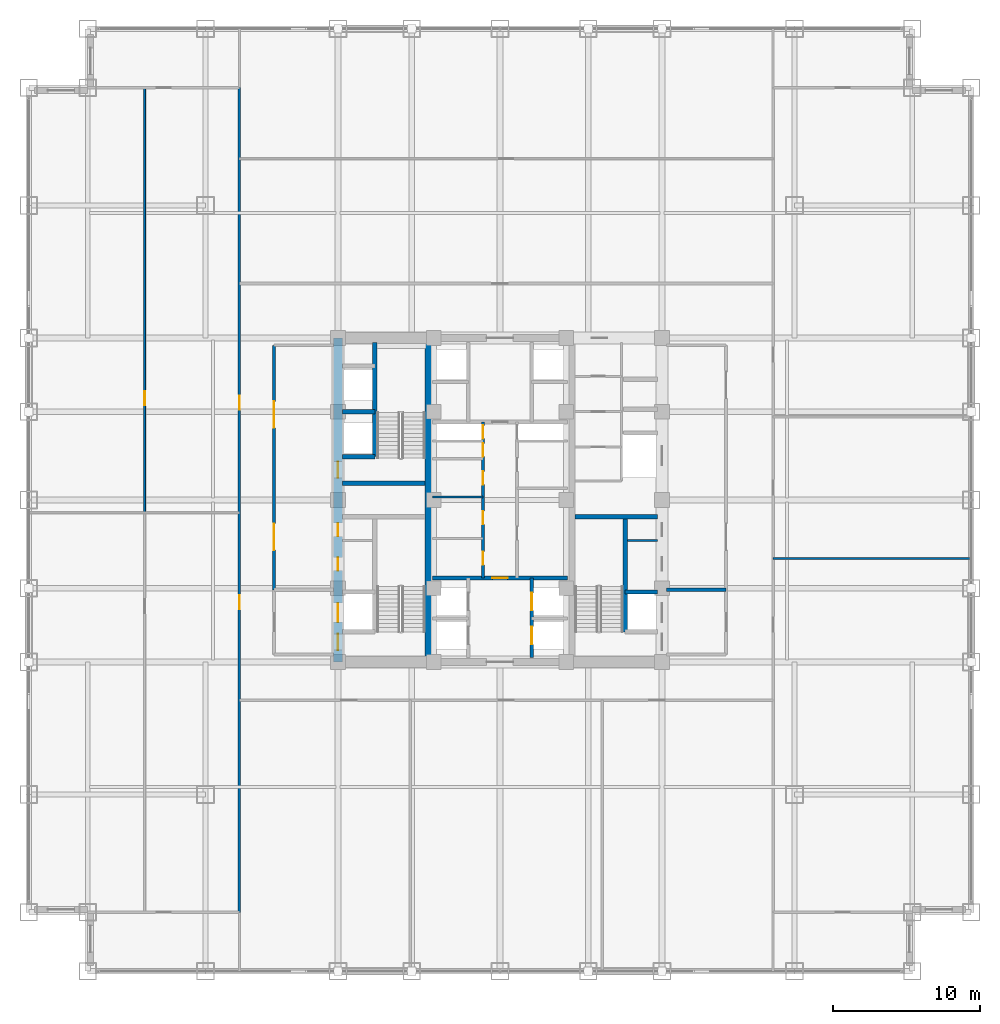
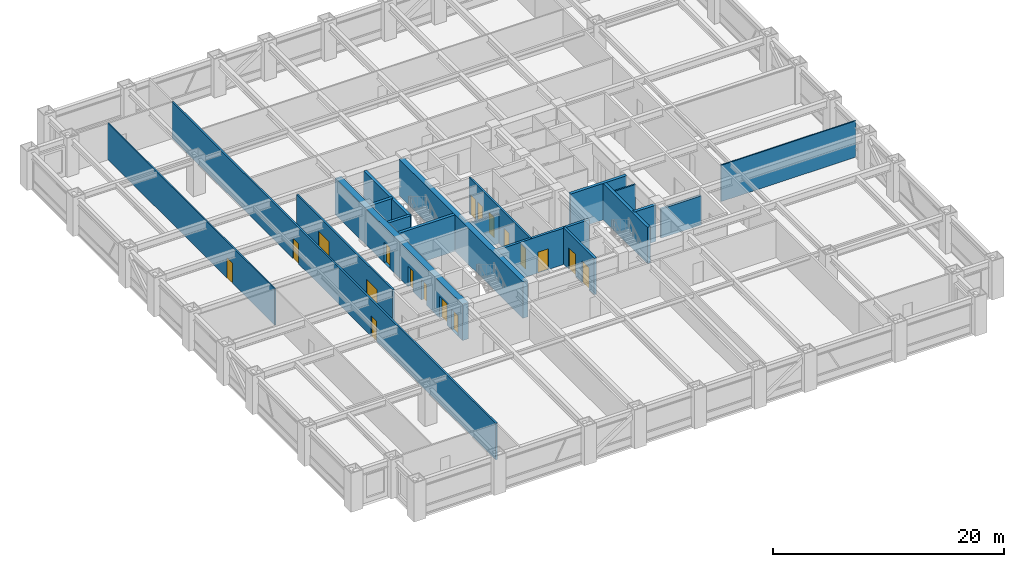
# One storey, part 24 of 27: 19 walls, 18 doors, 18 openings.
"""IFC4 building model written with IfcOpenShell, lengths in metres."""

from ifc_helpers import new_model, si_unit, direction, frame, frame_2d, origin, place, context, subcontext, project, spatial, rectangle, extrude, source, transform, mapped, material, layer, layer_set, type_object, element, fill, save


model = new_model("IFC4")

# Units and contexts
model_context = context("Model", 3, precision=1e-05, world=origin(), true_north=direction((0.0, 1.0)))
body_context = subcontext(model_context, "Body", "Model", "MODEL_VIEW")
ifc_project = project(units=[si_unit("LENGTHUNIT", "METRE"), si_unit("AREAUNIT", "SQUARE_METRE"), si_unit("VOLUMEUNIT", "CUBIC_METRE"), si_unit("PLANEANGLEUNIT", "RADIAN"), si_unit("MASSUNIT", "GRAM", prefix="KILO")], contexts=[model_context])

# Site, building, storey
site_placement = place(None, origin())
site = spatial("IfcSite", under=ifc_project, at=site_placement, CompositionType="ELEMENT")
building_placement = place(site_placement, origin())
building = spatial("IfcBuilding", under=site, at=building_placement, Name="Khorayat Bourse Tower", CompositionType="ELEMENT")
storey_placement = place(building_placement, frame((0.0, 0.0, 111.89990234375)))
storey = spatial("IfcBuildingStorey", under=building, at=storey_placement, Name="L25", CompositionType="ELEMENT", Elevation=111.89990234375)

# Wall, openings, doors
ifc_material_1 = material(Name="Concrete C60/75", Category="concrete")
ifc_layer_1 = layer(ifc_material_1, 0.60009765625)
ifc_layer_set_1 = layer_set([ifc_layer_1], Name="Concrete C60/75")
wall_type_1 = type_object("IfcWallType", Name="WAL-CORE-600", PredefinedType="SHEAR", material=ifc_layer_set_1)
shared_shape_1 = source(origin(), body_context, "Body", "SweptSolid", [
    extrude(rectangle(XDim=22.0, YDim=0.60009765625, at=frame_2d((11.0, 0.0))), origin(), (0.0, 0.0, 1.0), 3.840087890625),
])
wall_1_placement = place(storey_placement, frame((-11.0, -11.0, 0.0), z_axis=(0.0, 0.0, 1.0), x_axis=(0.0, 1.0, 0.0)))
wall_1 = element("IfcWall", 1, at=wall_1_placement, inside=storey, type_object=wall_type_1, Name="L25 Core Shear Wall CORE-W", PredefinedType="SHEAR", context=body_context, shape_type="MappedRepresentation", body=[
    mapped(shared_shape_1, transform((0.0, 0.0, 0.0), scale=1.0)),
])
shared_shape_2 = source(origin(), body_context, "Body", "SweptSolid", [
    extrude(rectangle(XDim=1.10009765625, YDim=2.199951171875, at=frame_2d((0.550048828125, 1.10009765625))), frame((0.0, 0.31005859375, 0.0), z_axis=(0.0, -1.0, 0.0), x_axis=(1.0, 0.0, 0.0)), (0.0, 0.0, 1.0), 0.6201171875),
])
opening_1_placement = place(wall_1_placement, frame((0.800048828125, 0.0, 0.0)))
opening_1 = element("IfcOpeningElement", 2, at=opening_1_placement, cuts=wall_1, Name="Opening DI-01", PredefinedType="OPENING", context=body_context, shape_type="MappedRepresentation", body=[
    mapped(shared_shape_2, transform((0.0, 0.0, 0.0), scale=1.0)),
])
opening_2_placement = place(wall_1_placement, frame((12.5, 0.0, 0.0)))
opening_2 = element("IfcOpeningElement", 3, at=opening_2_placement, cuts=wall_1, Name="Opening DI-01", PredefinedType="OPENING", context=body_context, shape_type="MappedRepresentation", body=[
    mapped(shared_shape_2, transform((0.0, 0.0, 0.0), scale=1.0)),
])
shared_shape_3 = source(origin(), body_context, "Body", "SweptSolid", [
    extrude(rectangle(XDim=0.89990234375, YDim=2.14990234375, at=frame_2d((0.449951171875, 1.074951171875))), frame((0.0, 0.31005859375, 0.0), z_axis=(0.0, -1.0, 0.0), x_axis=(1.0, 0.0, 0.0)), (0.0, 0.0, 1.0), 0.6201171875),
])
opening_3_placement = place(wall_1_placement, frame((6.199951171875, 0.0, 0.0)))
opening_3 = element("IfcOpeningElement", 4, at=opening_3_placement, cuts=wall_1, Name="Opening DI-06", PredefinedType="OPENING", context=body_context, shape_type="MappedRepresentation", body=[
    mapped(shared_shape_3, transform((0.0, 0.0, 0.0), scale=1.0)),
])
opening_4_placement = place(wall_1_placement, frame((8.52490234375, 0.0, 0.0)))
opening_4 = element("IfcOpeningElement", 5, at=opening_4_placement, cuts=wall_1, Name="Opening DI-06", PredefinedType="OPENING", context=body_context, shape_type="MappedRepresentation", body=[
    mapped(shared_shape_3, transform((0.0, 0.0, 0.0), scale=1.0)),
])
shared_shape_4 = source(origin(), body_context, "Body", "SweptSolid", [
    extrude(rectangle(XDim=1.300048828125, YDim=2.300048828125, at=frame_2d((0.64990234375, 1.14990234375))), frame((0.0, 0.31005859375, 0.0), z_axis=(0.0, -1.0, 0.0), x_axis=(1.0, 0.0, 0.0)), (0.0, 0.0, 1.0), 0.6201171875),
])
opening_5_placement = place(wall_1_placement, frame((2.699951171875, 0.0, 0.0)))
opening_5 = element("IfcOpeningElement", 6, at=opening_5_placement, cuts=wall_1, Name="Opening LD-02", PredefinedType="OPENING", context=body_context, shape_type="MappedRepresentation", body=[
    mapped(shared_shape_4, transform((0.0, 0.0, 0.0), scale=1.0)),
])
ifc_material_2 = material(Name="Fire-rated steel acoustic leaf", Category="steel")
door_type_1 = type_object("IfcDoorType", Name="DR-INT-STAIR-1100", OperationType="NOTDEFINED", PredefinedType="DOOR", material=ifc_material_2)
shared_shape_5 = source(origin(), body_context, "Body", "SweptSolid", [
    extrude(rectangle(XDim=1.10009765625, YDim=2.199951171875, at=frame_2d((0.550048828125, 1.10009765625))), frame((0.0, 0.02490234375, 0.0), z_axis=(0.0, -1.0, 0.0), x_axis=(1.0, 0.0, 0.0)), (0.0, 0.0, 1.0), 0.050048828125),
])
door_1_placement = place(opening_1_placement, origin())
door_1 = element("IfcDoor", 7, at=door_1_placement, inside=storey, type_object=door_type_1, Name="L25 Exit Stair 1 Door", OperationType="SINGLE_SWING_RIGHT", OverallHeight=2.199951171875, OverallWidth=1.10009765625, PredefinedType="DOOR", context=body_context, shape_type="MappedRepresentation", body=[
    mapped(shared_shape_5, transform((0.0, 0.0, 0.0), scale=1.0)),
])
fill(opening_1, door_1)
door_2_placement = place(opening_2_placement, origin())
door_2 = element("IfcDoor", 8, at=door_2_placement, inside=storey, type_object=door_type_1, Name="L25 Exit Stair 2 Door", OperationType="SINGLE_SWING_RIGHT", OverallHeight=2.199951171875, OverallWidth=1.10009765625, PredefinedType="DOOR", context=body_context, shape_type="MappedRepresentation", body=[
    mapped(shared_shape_5, transform((0.0, 0.0, 0.0), scale=1.0)),
])
fill(opening_2, door_2)
ifc_material_3 = material(Name="Moisture-resistant laminate washroom door")
door_type_2 = type_object("IfcDoorType", Name="DR-INT-WC-900", OperationType="NOTDEFINED", PredefinedType="DOOR", material=ifc_material_3)
shared_shape_6 = source(origin(), body_context, "Body", "SweptSolid", [
    extrude(rectangle(XDim=0.89990234375, YDim=2.14990234375, at=frame_2d((0.449951171875, 1.074951171875))), frame((0.0, 0.02490234375, 0.0), z_axis=(0.0, -1.0, 0.0), x_axis=(1.0, 0.0, 0.0)), (0.0, 0.0, 1.0), 0.050048828125),
])
door_3_placement = place(opening_3_placement, origin())
door_3 = element("IfcDoor", 9, at=door_3_placement, inside=storey, type_object=door_type_2, Name="L25 Switch Closet Door", OperationType="SINGLE_SWING_RIGHT", OverallHeight=2.14990234375, OverallWidth=0.89990234375, PredefinedType="DOOR", context=body_context, shape_type="MappedRepresentation", body=[
    mapped(shared_shape_6, transform((0.0, 0.0, 0.0), scale=1.0)),
])
fill(opening_3, door_3)
door_4_placement = place(opening_4_placement, origin())
door_4 = element("IfcDoor", 10, at=door_4_placement, inside=storey, type_object=door_type_2, Name="L25 Janitor Store Door", OperationType="SINGLE_SWING_LEFT", OverallHeight=2.14990234375, OverallWidth=0.89990234375, PredefinedType="DOOR", context=body_context, shape_type="MappedRepresentation", body=[
    mapped(shared_shape_6, transform((0.0, 0.0, 0.0), scale=1.0)),
])
fill(opening_4, door_4)
ifc_material_4 = material(Name="Fire-rated stainless-steel sliding landing door", Category="steel")
door_type_3 = type_object("IfcDoorType", Name="DR-LIFT-FF-1300", OperationType="NOTDEFINED", PredefinedType="DOOR", material=ifc_material_4)
shared_shape_7 = source(origin(), body_context, "Body", "SweptSolid", [
    extrude(rectangle(XDim=1.300048828125, YDim=2.300048828125, at=frame_2d((0.64990234375, 1.14990234375))), frame((0.0, 0.02490234375, 0.0), z_axis=(0.0, -1.0, 0.0), x_axis=(1.0, 0.0, 0.0)), (0.0, 0.0, 1.0), 0.050048828125),
])
door_5_placement = place(opening_5_placement, origin())
door_5 = element("IfcDoor", 11, at=door_5_placement, inside=storey, type_object=door_type_3, Name="L25 Lift FFL-01 Sliding Landing Door", OperationType="SLIDING_TO_LEFT", OverallHeight=2.300048828125, OverallWidth=1.300048828125, PredefinedType="DOOR", context=body_context, shape_type="MappedRepresentation", body=[
    mapped(shared_shape_7, transform((0.0, 0.0, 0.0), scale=1.0)),
])
fill(opening_5, door_5)

# Walls
ifc_material_5 = material(Name="Concrete C52/65", Category="concrete")
ifc_layer_2 = layer(ifc_material_5, 0.5)
ifc_layer_set_2 = layer_set([ifc_layer_2], Name="Concrete C52/65")
wall_type_2 = type_object("IfcWallType", Name="WAL-CORE-500", PredefinedType="SHEAR", material=ifc_layer_set_2)
shared_shape_8 = source(origin(), body_context, "Body", "SweptSolid", [
    extrude(rectangle(XDim=21.39990234375, YDim=0.5, at=frame_2d((10.699951171875, 0.0))), origin(), (0.0, 0.0, 1.0), 3.840087890625),
])
wall_2_placement = place(storey_placement, frame((-4.85009765625, -10.699951171875, 0.0), z_axis=(0.0, 0.0, 1.0), x_axis=(0.0, 1.0, 0.0)))
element("IfcWall", 12, at=wall_2_placement, inside=storey, type_object=wall_type_2, Name="L25 Core Shear Wall PIER-W", PredefinedType="SHEAR", context=body_context, shape_type="MappedRepresentation", body=[
    mapped(shared_shape_8, transform((0.0, 0.0, 0.0), scale=1.0)),
])
ifc_material_6 = material(Name="Concrete C50/60", Category="concrete")
ifc_layer_3 = layer(ifc_material_6, 0.300048828125)
ifc_layer_set_3 = layer_set([ifc_layer_3], Name="Concrete C50/60")
wall_type_3 = type_object("IfcWallType", Name="WAL-SHAFT-300", PredefinedType="SHEAR", material=ifc_layer_set_3)
shared_shape_9 = source(origin(), body_context, "Body", "SweptSolid", [
    extrude(rectangle(XDim=5.599853515625, YDim=0.300048828125, at=frame_2d((2.7998046875, 0.0))), origin(), (0.0, 0.0, 1.0), 3.840087890625),
])
for number, where, z_axis, x_axis, name in (
    (13, (-10.699951171875, 1.14990234375, 0.0), (0.0, 0.0, 1.0), (1.0, 0.0, 0.0), "L25 Core Shear Wall ST2-DIV"),
    (14, (5.10009765625, -1.14990234375, 0.0), (0.0, 0.0, 1.0), (1.0, 0.0, 0.0), "L25 Core Shear Wall ST3-DIV"),
):
    element("IfcWall", number, at=place(storey_placement, frame(where, z_axis=z_axis, x_axis=x_axis)), inside=storey, type_object=wall_type_3, Name=name, PredefinedType="SHEAR", context=body_context, shape_type="MappedRepresentation", body=[
        mapped(shared_shape_9, transform((0.0, 0.0, 0.0), scale=1.0)),
    ])
shared_shape_10 = source(origin(), body_context, "Body", "SweptSolid", [
    extrude(rectangle(XDim=7.800048828125, YDim=0.300048828125, at=frame_2d((3.89990234375, 0.0))), origin(), (0.0, 0.0, 1.0), 3.840087890625),
])
wall_3_placement = place(storey_placement, frame((8.5, -8.949951171875, 0.0), z_axis=(0.0, 0.0, 1.0), x_axis=(0.0, 1.0, 0.0)))
element("IfcWall", 15, at=wall_3_placement, inside=storey, type_object=wall_type_3, Name="L25 Partition WAL-L25-EPIER-SP", PredefinedType="SHEAR", context=body_context, shape_type="MappedRepresentation", body=[
    mapped(shared_shape_10, transform((0.0, 0.0, 0.0), scale=1.0)),
])
shared_shape_11 = source(origin(), body_context, "Body", "SweptSolid", [
    extrude(rectangle(XDim=2.199951171875, YDim=0.300048828125, at=frame_2d((1.10009765625, 0.0))), origin(), (0.0, 0.0, 1.0), 3.840087890625),
])
for number, where, z_axis, x_axis, name in (
    (16, (-10.699951171875, 2.949951171875, 0.0), (0.0, 0.0, 1.0), (1.0, 0.0, 0.0), "L25 Partition WAL-L25-WPIER-H1S"),
    (17, (-10.699951171875, 6.0, 0.0), (0.0, 0.0, 1.0), (1.0, 0.0, 0.0), "L25 Partition WAL-L25-WPIER-H12"),
    (18, (8.5, -6.25, 0.0), (0.0, 0.0, 1.0), (1.0, 0.0, 0.0), "L25 Partition WAL-L25-EPIER-FF2N"),
):
    element("IfcWall", number, at=place(storey_placement, frame(where, z_axis=z_axis, x_axis=x_axis)), inside=storey, type_object=wall_type_3, Name=name, PredefinedType="SHEAR", context=body_context, shape_type="MappedRepresentation", body=[
        mapped(shared_shape_11, transform((0.0, 0.0, 0.0), scale=1.0)),
    ])
shared_shape_12 = source(origin(), body_context, "Body", "SweptSolid", [
    extrude(rectangle(XDim=7.75, YDim=0.300048828125, at=frame_2d((3.875, 0.0))), origin(), (0.0, 0.0, 1.0), 3.840087890625),
])
wall_4_placement = place(storey_placement, frame((-8.5, 2.949951171875, 0.0), z_axis=(0.0, 0.0, 1.0), x_axis=(0.0, 1.0, 0.0)))
element("IfcWall", 19, at=wall_4_placement, inside=storey, type_object=wall_type_3, Name="L25 Partition WAL-L25-WPIER-ST2S", PredefinedType="SHEAR", context=body_context, shape_type="MappedRepresentation", body=[
    mapped(shared_shape_12, transform((0.0, 0.0, 0.0), scale=1.0)),
])
ifc_material_7 = material(Name="Gypsum plasterboard twin-frame partition")
ifc_layer_4 = layer(ifc_material_7, 0.14990234375)
ifc_layer_set_4 = layer_set([ifc_layer_4], Name="Gypsum plasterboard twin-frame partition")
wall_type_4 = type_object("IfcWallType", Name="WAL-PART-SUITE-150", PredefinedType="PARTITIONING", material=ifc_layer_set_4)
shared_shape_13 = source(origin(), body_context, "Body", "SweptSolid", [
    extrude(rectangle(XDim=2.050048828125, YDim=0.14990234375, at=frame_2d((1.02490234375, 0.0))), origin(), (0.0, 0.0, 1.0), 3.840087890625),
])
wall_5_placement = place(storey_placement, frame((8.64990234375, -2.75, 0.0), z_axis=(0.0, 0.0, 1.0), x_axis=(1.0, 0.0, 0.0)))
element("IfcWall", 20, at=wall_5_placement, inside=storey, type_object=wall_type_4, Name="L25 Partition WAL-L25-ESRV-D1", PredefinedType="PARTITIONING", context=body_context, shape_type="MappedRepresentation", body=[
    mapped(shared_shape_13, transform((0.0, 0.0, 0.0), scale=1.0)),
])
ifc_material_8 = material(Name="Aerated concrete blockwork", Category="masonry")
ifc_layer_5 = layer(ifc_material_8, 0.219970703125)
ifc_layer_set_5 = layer_set([ifc_layer_5], Name="Aerated concrete blockwork")
wall_type_5 = type_object("IfcWallType", Name="WAL-PART-FF-220", PredefinedType="PARTITIONING", material=ifc_layer_set_5)
shared_shape_14 = source(origin(), body_context, "Body", "SweptSolid", [
    extrude(rectangle(XDim=4.050048828125, YDim=0.219970703125, at=frame_2d((2.02490234375, 0.0))), origin(), (0.0, 0.0, 1.0), 3.067138671875),
])
wall_6_placement = place(storey_placement, frame((11.300048828125, -6.10009765625, 0.0), z_axis=(0.0, 0.0, 1.0), x_axis=(1.0, 0.0, 0.0)))
element("IfcWall", 21, at=wall_6_placement, inside=storey, type_object=wall_type_5, Name="L25 Partition WAL-L25-FFLE-N", PredefinedType="PARTITIONING", context=body_context, shape_type="MappedRepresentation", body=[
    mapped(shared_shape_14, transform((0.0, 0.0, 0.0), scale=1.0)),
])

# Wall, openings, doors
ifc_material_9 = material(Name="Gypsum plasterboard acoustic stud wall")
ifc_layer_6 = layer(ifc_material_9, 0.179931640625)
ifc_layer_set_6 = layer_set([ifc_layer_6], Name="Gypsum plasterboard acoustic stud wall")
wall_type_6 = type_object("IfcWallType", Name="WAL-PART-CORR-180", PredefinedType="PARTITIONING", material=ifc_layer_set_6)
shared_shape_15 = source(origin(), body_context, "Body", "SweptSolid", [
    extrude(rectangle(XDim=16.60009765625, YDim=0.179931640625, at=frame_2d((8.300048828125, 0.0))), origin(), (0.0, 0.0, 1.0), 3.840087890625),
])
wall_7_placement = place(storey_placement, frame((-15.35009765625, -6.10009765625, 0.0), z_axis=(0.0, 0.0, 1.0), x_axis=(0.0, 1.0, 0.0)))
wall_7 = element("IfcWall", 22, at=wall_7_placement, inside=storey, type_object=wall_type_6, Name="L25 Partition WAL-L25-WLOB-W", PredefinedType="PARTITIONING", context=body_context, shape_type="MappedRepresentation", body=[
    mapped(shared_shape_15, transform((0.0, 0.0, 0.0), scale=1.0)),
])
shared_shape_16 = source(origin(), body_context, "Body", "SweptSolid", [
    extrude(rectangle(XDim=1.800048828125, YDim=2.25, at=frame_2d((0.89990234375, 1.125))), frame((0.0, 0.099853515625, 0.0), z_axis=(0.0, -1.0, 0.0), x_axis=(1.0, 0.0, 0.0)), (0.0, 0.0, 1.0), 0.199951171875),
])
opening_6_placement = place(wall_7_placement, frame((2.699951171875, 0.0, 0.0)))
opening_6 = element("IfcOpeningElement", 23, at=opening_6_placement, cuts=wall_7, Name="Opening DI-03", PredefinedType="OPENING", context=body_context, shape_type="MappedRepresentation", body=[
    mapped(shared_shape_16, transform((0.0, 0.0, 0.0), scale=1.0)),
])
opening_7_placement = place(wall_7_placement, frame((11.0, 0.0, 0.0)))
opening_7 = element("IfcOpeningElement", 24, at=opening_7_placement, cuts=wall_7, Name="Opening DI-03", PredefinedType="OPENING", context=body_context, shape_type="MappedRepresentation", body=[
    mapped(shared_shape_16, transform((0.0, 0.0, 0.0), scale=1.0)),
])
ifc_material_10 = material(Name="Fire-rated hardwood vision-panel double leaf", Category="wood")
door_type_4 = type_object("IfcDoorType", Name="DR-INT-CORR-1800", OperationType="NOTDEFINED", PredefinedType="DOOR", material=ifc_material_10)
shared_shape_17 = source(origin(), body_context, "Body", "SweptSolid", [
    extrude(rectangle(XDim=1.800048828125, YDim=2.25, at=frame_2d((0.89990234375, 1.125))), frame((0.0, 0.02490234375, 0.0), z_axis=(0.0, -1.0, 0.0), x_axis=(1.0, 0.0, 0.0)), (0.0, 0.0, 1.0), 0.050048828125),
])
door_6_placement = place(opening_6_placement, origin())
door_6 = element("IfcDoor", 25, at=door_6_placement, inside=storey, type_object=door_type_4, Name="L25 West Core Lobby South Door", OperationType="SINGLE_SWING_LEFT", OverallHeight=2.25, OverallWidth=1.800048828125, PredefinedType="DOOR", context=body_context, shape_type="MappedRepresentation", body=[
    mapped(shared_shape_17, transform((0.0, 0.0, 0.0), scale=1.0)),
])
fill(opening_6, door_6)
door_7_placement = place(opening_7_placement, origin())
door_7 = element("IfcDoor", 26, at=door_7_placement, inside=storey, type_object=door_type_4, Name="L25 West Core Lobby North Door", OperationType="SINGLE_SWING_RIGHT", OverallHeight=2.25, OverallWidth=1.800048828125, PredefinedType="DOOR", context=body_context, shape_type="MappedRepresentation", body=[
    mapped(shared_shape_17, transform((0.0, 0.0, 0.0), scale=1.0)),
])
fill(opening_7, door_7)

shared_shape_18 = source(origin(), body_context, "Body", "SweptSolid", [
    extrude(rectangle(XDim=5.39990234375, YDim=0.25, at=frame_2d((2.699951171875, 0.0))), origin(), (0.0, 0.0, 1.0), 3.840087890625),
])
wall_8_placement = place(storey_placement, frame((2.14990234375, -10.699951171875, 0.0), z_axis=(0.0, 0.0, 1.0), x_axis=(0.0, 1.0, 0.0)))
wall_8 = element("IfcWall", 27, at=wall_8_placement, inside=storey, type_object=wall_type_3, Name="L25 Partition WAL-L25-B1-E", PredefinedType="SHEAR", context=body_context, shape_type="MappedRepresentation", body=[
    mapped(shared_shape_18, transform((0.0, 0.0, 0.0), scale=1.0)),
])
shared_shape_19 = source(origin(), body_context, "Body", "SweptSolid", [
    extrude(rectangle(XDim=1.199951171875, YDim=2.300048828125, at=frame_2d((0.60009765625, 1.14990234375))), frame((0.0, 0.135009765625, 0.0), z_axis=(0.0, -1.0, 0.0), x_axis=(1.0, 0.0, 0.0)), (0.0, 0.0, 1.0), 0.27001953125),
])
opening_8_placement = place(wall_8_placement, frame((0.89990234375, 0.0, 0.0)))
opening_8 = element("IfcOpeningElement", 28, at=opening_8_placement, cuts=wall_8, Name="Opening LD-01", PredefinedType="OPENING", context=body_context, shape_type="MappedRepresentation", body=[
    mapped(shared_shape_19, transform((0.0, 0.0, 0.0), scale=1.0)),
])
opening_9_placement = place(wall_8_placement, frame((3.199951171875, 0.0, 0.0)))
opening_9 = element("IfcOpeningElement", 29, at=opening_9_placement, cuts=wall_8, Name="Opening LD-01", PredefinedType="OPENING", context=body_context, shape_type="MappedRepresentation", body=[
    mapped(shared_shape_19, transform((0.0, 0.0, 0.0), scale=1.0)),
])
ifc_material_11 = material(Name="Brushed bronze stainless-steel sliding door", Category="steel")
door_type_5 = type_object("IfcDoorType", Name="DR-LIFT-PASS-1200", OperationType="NOTDEFINED", PredefinedType="DOOR", material=ifc_material_11)
shared_shape_20 = source(origin(), body_context, "Body", "SweptSolid", [
    extrude(rectangle(XDim=1.199951171875, YDim=2.300048828125, at=frame_2d((0.60009765625, 1.14990234375))), frame((0.0, 0.02490234375, 0.0), z_axis=(0.0, -1.0, 0.0), x_axis=(1.0, 0.0, 0.0)), (0.0, 0.0, 1.0), 0.050048828125),
])
door_8_placement = place(opening_8_placement, origin())
door_8 = element("IfcDoor", 30, at=door_8_placement, inside=storey, type_object=door_type_5, Name="L25 Lift PL-L2 Sliding Landing Door", OperationType="SLIDING_TO_LEFT", OverallHeight=2.300048828125, OverallWidth=1.199951171875, PredefinedType="DOOR", context=body_context, shape_type="MappedRepresentation", body=[
    mapped(shared_shape_20, transform((0.0, 0.0, 0.0), scale=1.0)),
])
fill(opening_8, door_8)
door_9_placement = place(opening_9_placement, origin())
door_9 = element("IfcDoor", 31, at=door_9_placement, inside=storey, type_object=door_type_5, Name="L25 Lift PL-L4 Sliding Landing Door", OperationType="SLIDING_TO_LEFT", OverallHeight=2.300048828125, OverallWidth=1.199951171875, PredefinedType="DOOR", context=body_context, shape_type="MappedRepresentation", body=[
    mapped(shared_shape_20, transform((0.0, 0.0, 0.0), scale=1.0)),
])
fill(opening_9, door_9)

# Wall, opening, door
shared_shape_21 = source(origin(), body_context, "Body", "SweptSolid", [
    extrude(rectangle(XDim=9.2001953125, YDim=0.25, at=frame_2d((4.60009765625, 0.0))), origin(), (0.0, 0.0, 1.0), 3.840087890625),
])
wall_9_placement = place(storey_placement, frame((-4.60009765625, -5.300048828125, 0.0), z_axis=(0.0, 0.0, 1.0), x_axis=(1.0, 0.0, 0.0)))
wall_9 = element("IfcWall", 32, at=wall_9_placement, inside=storey, type_object=wall_type_3, Name="L25 Partition WAL-L25-B1-N", PredefinedType="SHEAR", context=body_context, shape_type="MappedRepresentation", body=[
    mapped(shared_shape_21, transform((0.0, 0.0, 0.0), scale=1.0)),
])
shared_shape_22 = source(origin(), body_context, "Body", "SweptSolid", [
    extrude(rectangle(XDim=1.050048828125, YDim=2.199951171875, at=frame_2d((0.52490234375, 1.10009765625))), frame((0.0, 0.135009765625, 0.0), z_axis=(0.0, -1.0, 0.0), x_axis=(1.0, 0.0, 0.0)), (0.0, 0.0, 1.0), 0.27001953125),
])
opening_10_placement = place(wall_9_placement, frame((4.074951171875, 0.0, 0.0)))
opening_10 = element("IfcOpeningElement", 33, at=opening_10_placement, cuts=wall_9, Name="Opening DI-04", PredefinedType="OPENING", context=body_context, shape_type="MappedRepresentation", body=[
    mapped(shared_shape_22, transform((0.0, 0.0, 0.0), scale=1.0)),
])
ifc_material_12 = material(Name="Fire-rated oak veneer suite entrance door")
door_type_6 = type_object("IfcDoorType", Name="DR-INT-SUITE-1050", OperationType="NOTDEFINED", PredefinedType="DOOR", material=ifc_material_12)
shared_shape_23 = source(origin(), body_context, "Body", "SweptSolid", [
    extrude(rectangle(XDim=1.050048828125, YDim=2.199951171875, at=frame_2d((0.52490234375, 1.10009765625))), frame((0.0, 0.02490234375, 0.0), z_axis=(0.0, -1.0, 0.0), x_axis=(1.0, 0.0, 0.0)), (0.0, 0.0, 1.0), 0.050048828125),
])
door_10_placement = place(opening_10_placement, origin())
door_10 = element("IfcDoor", 34, at=door_10_placement, inside=storey, type_object=door_type_6, Name="L25 Core Spine South Door", OperationType="SINGLE_SWING_LEFT", OverallHeight=2.199951171875, OverallWidth=1.050048828125, PredefinedType="DOOR", context=body_context, shape_type="MappedRepresentation", body=[
    mapped(shared_shape_23, transform((0.0, 0.0, 0.0), scale=1.0)),
])
fill(opening_10, door_10)

# Wall, openings, doors
shared_shape_24 = source(origin(), body_context, "Body", "SweptSolid", [
    extrude(rectangle(XDim=10.60009765625, YDim=0.179931640625, at=frame_2d((5.300048828125, 0.0))), origin(), (0.0, 0.0, 1.0), 3.840087890625),
])
wall_10_placement = place(storey_placement, frame((-1.14990234375, -5.300048828125, 0.0), z_axis=(0.0, 0.0, 1.0), x_axis=(0.0, 1.0, 0.0)))
wall_10 = element("IfcWall", 35, at=wall_10_placement, inside=storey, type_object=wall_type_6, Name="L25 Partition WAL-L25-CMW-L", PredefinedType="PARTITIONING", context=body_context, shape_type="MappedRepresentation", body=[
    mapped(shared_shape_24, transform((0.0, 0.0, 0.0), scale=1.0)),
])
shared_shape_25 = source(origin(), body_context, "Body", "SweptSolid", [
    extrude(rectangle(XDim=0.89990234375, YDim=2.14990234375, at=frame_2d((0.449951171875, 1.074951171875))), frame((0.0, 0.099853515625, 0.0), z_axis=(0.0, -1.0, 0.0), x_axis=(1.0, 0.0, 0.0)), (0.0, 0.0, 1.0), 0.199951171875),
])
opening_11_placement = place(wall_10_placement, frame((0.89990234375, 0.0, 0.0)))
opening_11 = element("IfcOpeningElement", 36, at=opening_11_placement, cuts=wall_10, Name="Opening DI-06", PredefinedType="OPENING", context=body_context, shape_type="MappedRepresentation", body=[
    mapped(shared_shape_25, transform((0.0, 0.0, 0.0), scale=1.0)),
])
opening_12_placement = place(wall_10_placement, frame((3.64990234375, 0.0, 0.0)))
opening_12 = element("IfcOpeningElement", 37, at=opening_12_placement, cuts=wall_10, Name="Opening DI-06", PredefinedType="OPENING", context=body_context, shape_type="MappedRepresentation", body=[
    mapped(shared_shape_25, transform((0.0, 0.0, 0.0), scale=1.0)),
])
opening_13_placement = place(wall_10_placement, frame((6.35009765625, 0.0, 0.0)))
opening_13 = element("IfcOpeningElement", 38, at=opening_13_placement, cuts=wall_10, Name="Opening DI-06", PredefinedType="OPENING", context=body_context, shape_type="MappedRepresentation", body=[
    mapped(shared_shape_25, transform((0.0, 0.0, 0.0), scale=1.0)),
])
opening_14_placement = place(wall_10_placement, frame((8.25, 0.0, 0.0)))
opening_14 = element("IfcOpeningElement", 39, at=opening_14_placement, cuts=wall_10, Name="Opening DI-06", PredefinedType="OPENING", context=body_context, shape_type="MappedRepresentation", body=[
    mapped(shared_shape_25, transform((0.0, 0.0, 0.0), scale=1.0)),
])
opening_15_placement = place(wall_10_placement, frame((9.47509765625, 0.0, 0.0)))
opening_15 = element("IfcOpeningElement", 40, at=opening_15_placement, cuts=wall_10, Name="Opening DI-06", PredefinedType="OPENING", context=body_context, shape_type="MappedRepresentation", body=[
    mapped(shared_shape_25, transform((0.0, 0.0, 0.0), scale=1.0)),
])
door_11_placement = place(opening_11_placement, origin())
door_11 = element("IfcDoor", 41, at=door_11_placement, inside=storey, type_object=door_type_2, Name="L25 Cleaners Store Door", OperationType="SINGLE_SWING_RIGHT", OverallHeight=2.14990234375, OverallWidth=0.89990234375, PredefinedType="DOOR", context=body_context, shape_type="MappedRepresentation", body=[
    mapped(shared_shape_6, transform((0.0, 0.0, 0.0), scale=1.0)),
])
fill(opening_11, door_11)
door_12_placement = place(opening_12_placement, origin())
door_12 = element("IfcDoor", 42, at=door_12_placement, inside=storey, type_object=door_type_2, Name="L25 Male Core Washroom Door", OperationType="SINGLE_SWING_LEFT", OverallHeight=2.14990234375, OverallWidth=0.89990234375, PredefinedType="DOOR", context=body_context, shape_type="MappedRepresentation", body=[
    mapped(shared_shape_6, transform((0.0, 0.0, 0.0), scale=1.0)),
])
fill(opening_12, door_12)
door_13_placement = place(opening_13_placement, origin())
door_13 = element("IfcDoor", 43, at=door_13_placement, inside=storey, type_object=door_type_2, Name="L25 Electrical Closet Door", OperationType="SINGLE_SWING_RIGHT", OverallHeight=2.14990234375, OverallWidth=0.89990234375, PredefinedType="DOOR", context=body_context, shape_type="MappedRepresentation", body=[
    mapped(shared_shape_6, transform((0.0, 0.0, 0.0), scale=1.0)),
])
fill(opening_13, door_13)
door_14_placement = place(opening_14_placement, origin())
door_14 = element("IfcDoor", 44, at=door_14_placement, inside=storey, type_object=door_type_2, Name="L25 Archive Cupboard Door", OperationType="SINGLE_SWING_LEFT", OverallHeight=2.14990234375, OverallWidth=0.89990234375, PredefinedType="DOOR", context=body_context, shape_type="MappedRepresentation", body=[
    mapped(shared_shape_6, transform((0.0, 0.0, 0.0), scale=1.0)),
])
fill(opening_14, door_14)
door_15_placement = place(opening_15_placement, origin())
door_15 = element("IfcDoor", 45, at=door_15_placement, inside=storey, type_object=door_type_2, Name="L25 West Core Riser Door", OperationType="SINGLE_SWING_LEFT", OverallHeight=2.14990234375, OverallWidth=0.89990234375, PredefinedType="DOOR", context=body_context, shape_type="MappedRepresentation", body=[
    mapped(shared_shape_6, transform((0.0, 0.0, 0.0), scale=1.0)),
])
fill(opening_15, door_15)

shared_shape_26 = source(origin(), body_context, "Body", "SweptSolid", [
    extrude(rectangle(XDim=56.0, YDim=0.179931640625, at=frame_2d((28.0, 0.0))), origin(), (0.0, 0.0, 1.0), 3.840087890625),
])
wall_11_placement = place(storey_placement, frame((-17.699951171875, -28.0, 0.0), z_axis=(0.0, 0.0, 1.0), x_axis=(0.0, 1.0, 0.0)))
wall_11 = element("IfcWall", 46, at=wall_11_placement, inside=storey, type_object=wall_type_6, Name="L25 Partition WAL-L25-WCORR", PredefinedType="PARTITIONING", context=body_context, shape_type="MappedRepresentation", body=[
    mapped(shared_shape_26, transform((0.0, 0.0, 0.0), scale=1.0)),
])
shared_shape_27 = source(origin(), body_context, "Body", "SweptSolid", [
    extrude(rectangle(XDim=0.949951171875, YDim=2.14990234375, at=frame_2d((0.47509765625, 1.074951171875))), frame((0.0, 0.099853515625, 0.0), z_axis=(0.0, -1.0, 0.0), x_axis=(1.0, 0.0, 0.0)), (0.0, 0.0, 1.0), 0.199951171875),
])
opening_16_placement = place(wall_11_placement, frame((20.592529296875, 0.0, 0.0)))
opening_16 = element("IfcOpeningElement", 47, at=opening_16_placement, cuts=wall_11, Name="Opening DI-05", PredefinedType="OPENING", context=body_context, shape_type="MappedRepresentation", body=[
    mapped(shared_shape_27, transform((0.0, 0.0, 0.0), scale=1.0)),
])
opening_17_placement = place(wall_11_placement, frame((34.142578125, 0.0, 0.0)))
opening_17 = element("IfcOpeningElement", 48, at=opening_17_placement, cuts=wall_11, Name="Opening DI-05", PredefinedType="OPENING", context=body_context, shape_type="MappedRepresentation", body=[
    mapped(shared_shape_27, transform((0.0, 0.0, 0.0), scale=1.0)),
])
ifc_material_13 = material(Name="Acoustic oak veneer office door")
door_type_7 = type_object("IfcDoorType", Name="DR-INT-OFFICE-950", OperationType="NOTDEFINED", PredefinedType="DOOR", material=ifc_material_13)
shared_shape_28 = source(origin(), body_context, "Body", "SweptSolid", [
    extrude(rectangle(XDim=0.949951171875, YDim=2.14990234375, at=frame_2d((0.47509765625, 1.074951171875))), frame((0.0, 0.02490234375, 0.0), z_axis=(0.0, -1.0, 0.0), x_axis=(1.0, 0.0, 0.0)), (0.0, 0.0, 1.0), 0.050048828125),
])
door_16_placement = place(opening_16_placement, origin())
door_16 = element("IfcDoor", 49, at=door_16_placement, inside=storey, type_object=door_type_7, Name="L25 Issuer Listing Showroom W1 Door", OperationType="SINGLE_SWING_RIGHT", OverallHeight=2.14990234375, OverallWidth=0.949951171875, PredefinedType="DOOR", context=body_context, shape_type="MappedRepresentation", body=[
    mapped(shared_shape_28, transform((0.0, 0.0, 0.0), scale=1.0)),
])
fill(opening_16, door_16)
door_17_placement = place(opening_17_placement, origin())
door_17 = element("IfcDoor", 50, at=door_17_placement, inside=storey, type_object=door_type_7, Name="L25 Staff Tea Pantry W2 Door", OperationType="SINGLE_SWING_LEFT", OverallHeight=2.14990234375, OverallWidth=0.949951171875, PredefinedType="DOOR", context=body_context, shape_type="MappedRepresentation", body=[
    mapped(shared_shape_28, transform((0.0, 0.0, 0.0), scale=1.0)),
])
fill(opening_17, door_17)

# Wall
ifc_material_14 = material(Name="Moisture-resistant masonry partition", Category="masonry")
ifc_layer_7 = layer(ifc_material_14, 0.139892578125)
ifc_layer_set_7 = layer_set([ifc_layer_7], Name="Moisture-resistant masonry partition")
wall_type_7 = type_object("IfcWallType", Name="WAL-PART-WET-140", PredefinedType="PARTITIONING", material=ifc_layer_set_7)
shared_shape_29 = source(origin(), body_context, "Body", "SweptSolid", [
    extrude(rectangle(XDim=3.4501953125, YDim=0.139892578125, at=frame_2d((1.72509765625, 0.0))), origin(), (0.0, 0.0, 1.0), 3.14501953125),
])
wall_12_placement = place(storey_placement, frame((-4.60009765625, 0.199951171875, 0.0), z_axis=(0.0, 0.0, 1.0), x_axis=(1.0, 0.0, 0.0)))
element("IfcWall", 51, at=wall_12_placement, inside=storey, type_object=wall_type_7, Name="L25 Partition WAL-L25-CMW-D2", PredefinedType="PARTITIONING", context=body_context, shape_type="MappedRepresentation", body=[
    mapped(shared_shape_29, transform((0.0, 0.0, 0.0), scale=1.0)),
])

# Wall, opening, door
ifc_material_15 = material(Name="Gypsum plasterboard partition")
ifc_layer_8 = layer(ifc_material_15, 0.125)
ifc_layer_set_8 = layer_set([ifc_layer_8], Name="Gypsum plasterboard partition")
wall_type_8 = type_object("IfcWallType", Name="WAL-PART-ROOM-125", PredefinedType="PARTITIONING", material=ifc_layer_set_8)
shared_shape_30 = source(origin(), body_context, "Body", "SweptSolid", [
    extrude(rectangle(XDim=28.864990234375, YDim=0.125, at=frame_2d((14.4326171875, 0.0))), origin(), (0.0, 0.0, 1.0), 3.840087890625),
])
wall_13_placement = place(storey_placement, frame((-24.135009765625, -0.864990234375, 0.0), z_axis=(0.0, 0.0, 1.0), x_axis=(0.0, 1.0, 0.0)))
wall_13 = element("IfcWall", 52, at=wall_13_placement, inside=storey, type_object=wall_type_8, Name="L25 Partition WAL-L25-WDP-2", PredefinedType="PARTITIONING", context=body_context, shape_type="MappedRepresentation", body=[
    mapped(shared_shape_30, transform((0.0, 0.0, 0.0), scale=1.0)),
])
shared_shape_31 = source(origin(), body_context, "Body", "SweptSolid", [
    extrude(rectangle(XDim=0.949951171875, YDim=2.14990234375, at=frame_2d((0.47509765625, 1.074951171875))), frame((0.0, 0.072509765625, 0.0), z_axis=(0.0, -1.0, 0.0), x_axis=(1.0, 0.0, 0.0)), (0.0, 0.0, 1.0), 0.14501953125),
])
opening_18_placement = place(wall_13_placement, frame((7.3076171875, 0.0, 0.0)))
opening_18 = element("IfcOpeningElement", 53, at=opening_18_placement, cuts=wall_13, Name="Opening DI-05", PredefinedType="OPENING", context=body_context, shape_type="MappedRepresentation", body=[
    mapped(shared_shape_31, transform((0.0, 0.0, 0.0), scale=1.0)),
])
door_18_placement = place(opening_18_placement, origin())
door_18 = element("IfcDoor", 54, at=door_18_placement, inside=storey, type_object=door_type_7, Name="L25 Clearing Records Archive Store W2B Door", OperationType="SINGLE_SWING_LEFT", OverallHeight=2.14990234375, OverallWidth=0.949951171875, PredefinedType="DOOR", context=body_context, shape_type="MappedRepresentation", body=[
    mapped(shared_shape_28, transform((0.0, 0.0, 0.0), scale=1.0)),
])
fill(opening_18, door_18)

# Wall
shared_shape_32 = source(origin(), body_context, "Body", "SweptSolid", [
    extrude(rectangle(XDim=13.449951171875, YDim=0.125, at=frame_2d((6.72509765625, 0.0))), origin(), (0.0, 0.0, 1.0), 3.840087890625),
])
wall_14_placement = place(storey_placement, frame((18.550048828125, -3.97802734375, 0.0), z_axis=(0.0, 0.0, 1.0), x_axis=(1.0, 0.0, 0.0)))
element("IfcWall", 55, at=wall_14_placement, inside=storey, type_object=wall_type_8, Name="L25 Partition WAL-L25-EDV-1", PredefinedType="PARTITIONING", context=body_context, shape_type="MappedRepresentation", body=[
    mapped(shared_shape_32, transform((0.0, 0.0, 0.0), scale=1.0)),
])

save(model, "model.ifc")
